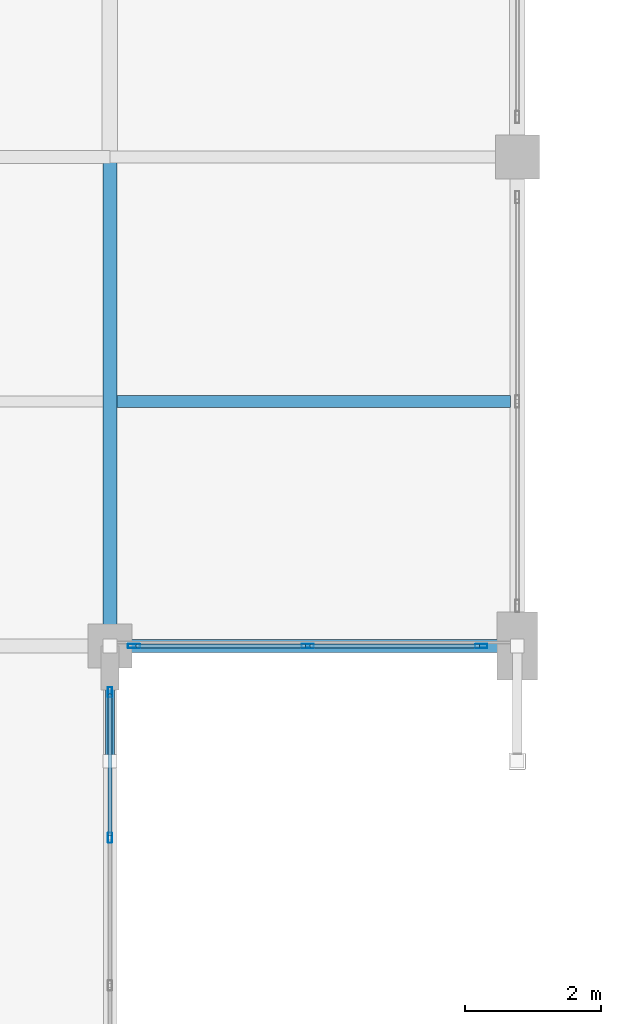
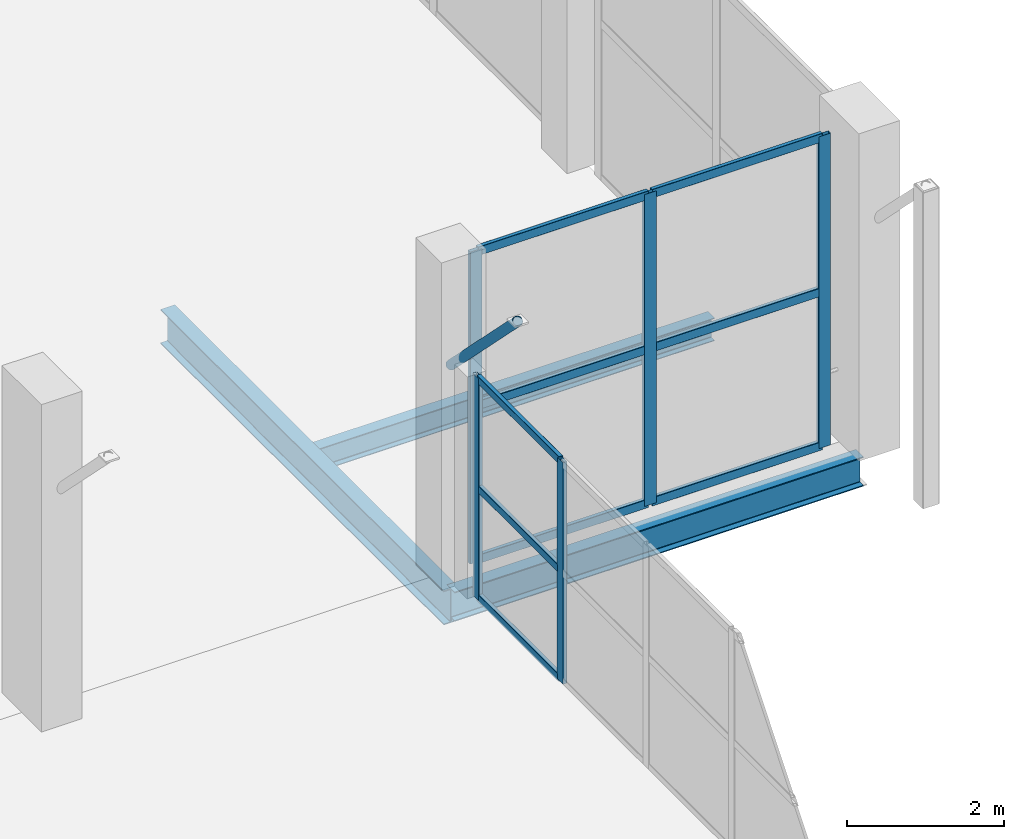
# One storey, part 32 of 127: 15 members, 3 beams, 2 elements without a shape of their own.
"""IFC4 building model written with IfcOpenShell, lengths in metres."""

import ifcopenshell
import ifcopenshell.guid

model = None  # the IFC model being written
_history = None  # IfcOwnerHistory: only IFC2X3 demands one
_inside = {}  # id of a spatial element -> (the spatial element, [elements in it])
_under = {}  # id of a project, library or spatial element -> (it, [spatial elements below it])
_declared = {}  # id of a project -> (the project, [libraries it declares])
_typed = {}  # id of a type object -> (the type object, [elements of that type])
_made_of = {}  # id of a material, layer set ... -> (it, [elements and type objects made of it])


def new_model(schema):
    """Start an empty IFC model of exactly this schema.

    Asked for "IFC4X3", IfcOpenShell would pick the latest addendum, in which some entities
    have other attributes; the version numbers below select the first issue.
    IFC2X3 requires an IfcOwnerHistory on every rooted entity: one is made here for all.
    """
    global model, _history
    if schema == "IFC4X3":
        model = ifcopenshell.file(schema_version=(4, 3, 0, 0))
    else:
        model = ifcopenshell.file(schema=schema)
    _inside.clear()
    _under.clear()
    _declared.clear()
    _typed.clear()
    _made_of.clear()
    _history = None
    if model.schema == "IFC2X3":
        org = make("IfcOrganization", Name="unknown")
        user = make(
            "IfcPersonAndOrganization",
            ThePerson=make("IfcPerson", FamilyName="unknown"),
            TheOrganization=org,
        )
        app = make(
            "IfcApplication",
            ApplicationDeveloper=org,
            Version="unknown",
            ApplicationFullName="unknown",
            ApplicationIdentifier="unknown",
        )
        _history = make(
            "IfcOwnerHistory",
            OwningUser=user,
            OwningApplication=app,
            ChangeAction="ADDED",
            CreationDate=0,
        )
    return model


def make(cls, **values):
    """One entity of the class cls with the attributes given. An attribute that is None is left unset."""
    return model.create_entity(
        cls, **{name: value for name, value in values.items() if value is not None}
    )


def rooted(cls, **values):
    """An entity with a GlobalId (a new one), such as an element, a storey or a relation."""
    return make(cls, GlobalId=ifcopenshell.guid.new(), OwnerHistory=_history, **values)


def si_unit(unit_type, name, prefix=None):
    """IfcSIUnit, for example si_unit("LENGTHUNIT", "METRE", prefix="MILLI")."""
    return make("IfcSIUnit", UnitType=unit_type, Prefix=prefix, Name=name)


def assignment(units):
    """IfcUnitAssignment: the units of a project."""
    return None if units is None else make("IfcUnitAssignment", Units=units)


def point(xyz):
    """IfcCartesianPoint."""
    return None if xyz is None else make("IfcCartesianPoint", Coordinates=xyz)


def direction(xyz):
    """IfcDirection."""
    return None if xyz is None else make("IfcDirection", DirectionRatios=xyz)


def frame(location, z_axis=None, x_axis=None):
    """IfcAxis2Placement3D, a coordinate frame: its origin and axes. An axis left out is left unset."""
    return make(
        "IfcAxis2Placement3D",
        Location=point(location),
        Axis=direction(z_axis),
        RefDirection=direction(x_axis),
    )


def frame_2d(location, x_axis=None):
    """IfcAxis2Placement2D, a coordinate frame in the plane: its origin and x axis."""
    return make(
        "IfcAxis2Placement2D", Location=point(location), RefDirection=direction(x_axis)
    )


def origin():
    """The frame at (0, 0, 0) with its axes left unset."""
    return frame((0.0, 0.0, 0.0))


def origin_2d():
    """The frame at (0, 0) in the plane with its x axis left unset."""
    return frame_2d((0.0, 0.0))


def place(relative_to, where):
    """IfcLocalPlacement: puts the frame where relative to a parent placement (None: the world)."""
    return make(
        "IfcLocalPlacement", PlacementRelTo=relative_to, RelativePlacement=where
    )


def context(
    kind, dimensions, precision=None, world=None, true_north=None, identifier=None
):
    """IfcGeometricRepresentationContext, for example the 3D "Model" context."""
    return make(
        "IfcGeometricRepresentationContext",
        ContextIdentifier=identifier,
        ContextType=kind,
        CoordinateSpaceDimension=dimensions,
        Precision=precision,
        WorldCoordinateSystem=world,
        TrueNorth=true_north,
    )


def subcontext(parent, identifier, kind, view, scale=None):
    """IfcGeometricRepresentationSubContext, for example "Body" below "Model"."""
    return make(
        "IfcGeometricRepresentationSubContext",
        ContextIdentifier=identifier,
        ContextType=kind,
        ParentContext=parent,
        TargetScale=scale,
        TargetView=view,
    )


def project(units=None, contexts=None):
    """IfcProject with its units and contexts."""
    return rooted(
        "IfcProject",
        Name="project",
        RepresentationContexts=contexts,
        UnitsInContext=assignment(units),
    )


def spatial(cls, under=None, at=None, **own):
    """A site, building, storey or space (cls), placed at a placement, below another one or the project."""
    s = rooted(cls, ObjectPlacement=at, **own)
    if under is not None:
        _under.setdefault(under.id(), (under, []))[1].append(s)
    return s


def profile(cls, at=None, kind="AREA", **sizes):
    """A parametric profile (cls). Its sizes go by their IFC names, for example OverallWidth=200.0."""
    return make(cls, ProfileType=kind, Position=at, **sizes)


def hollow_rectangle(**sizes):
    """IfcRectangleHollowProfileDef."""
    return profile("IfcRectangleHollowProfileDef", **sizes)


def hollow_circle(**sizes):
    """IfcCircleHollowProfileDef."""
    return profile("IfcCircleHollowProfileDef", **sizes)


def i_section(**sizes):
    """IfcIShapeProfileDef."""
    return profile("IfcIShapeProfileDef", **sizes)


def extrude(swept, where, along, depth):
    """IfcExtrudedAreaSolid: the profile swept, set in the frame where, extruded along a direction by depth."""
    return make(
        "IfcExtrudedAreaSolid",
        SweptArea=swept,
        Position=where,
        ExtrudedDirection=direction(along),
        Depth=depth,
    )


def shape(context_of_items, identifier, shape_type, items):
    """IfcShapeRepresentation: the items that make up one representation, for example the "Body"."""
    return make(
        "IfcShapeRepresentation",
        ContextOfItems=context_of_items,
        RepresentationIdentifier=identifier,
        RepresentationType=shape_type,
        Items=items,
    )


def material(Name=None, Category=None):
    """IfcMaterial."""
    return make("IfcMaterial", Name=Name, Category=Category)


def layer(
    of_material, thickness, ventilated=None, Name=None, Category=None, Priority=None
):
    """IfcMaterialLayer: one layer of a wall or slab, of a material (None: an air gap)."""
    return make(
        "IfcMaterialLayer",
        Material=of_material,
        LayerThickness=thickness,
        IsVentilated=ventilated,
        Name=Name,
        Category=Category,
        Priority=Priority,
    )


def layer_set(layers, Name=None):
    """IfcMaterialLayerSet."""
    return make("IfcMaterialLayerSet", MaterialLayers=layers, LayerSetName=Name)


def material_profile(
    of_material, cross_section, Name=None, Category=None, Priority=None
):
    """IfcMaterialProfile: a cross section and its material."""
    return make(
        "IfcMaterialProfile",
        Name=Name,
        Material=of_material,
        Profile=cross_section,
        Priority=Priority,
        Category=Category,
    )


def profile_set(profiles, Name=None, composite=None):
    """IfcMaterialProfileSet."""
    return make(
        "IfcMaterialProfileSet",
        Name=Name,
        MaterialProfiles=profiles,
        CompositeProfile=composite,
    )


def made_of(thing, what):
    """Note that an element or type object is made of a material, layer set ...; save() writes the relation."""
    if what is not None:
        _made_of.setdefault(what.id(), (what, []))[1].append(thing)
    return thing


def type_object(cls, material=None, **own):
    """A type object (cls), such as IfcWallType, which elements share."""
    return made_of(rooted(cls, **own), material)


def element(
    cls,
    number,
    at=None,
    inside=None,
    cuts=None,
    type_object=None,
    material=None,
    context=None,
    identifier="Body",
    shape_type=None,
    held_by="IfcProductDefinitionShape",
    body=None,
    shapes=None,
    **own,
):
    """One element of the class cls, such as IfcWall. Its Tag is "e" and its number.

    at: its placement. inside: the storey or other place that contains it. cuts: it is an
    opening in that element (IfcRelVoidsElement). A single representation is given by context,
    identifier, shape_type and body (its items); several are given by shapes. held_by: the class
    of the entity that holds the representations. save() writes the other relations.
    """
    e = rooted(cls, Tag="e%d" % number, ObjectPlacement=at, **own)
    if body is not None:
        shapes = [shape(context, identifier, shape_type, body)]
    if shapes is not None:
        e.Representation = make(held_by, Representations=shapes)
    if inside is not None:
        _inside.setdefault(inside.id(), (inside, []))[1].append(e)
    if cuts is not None:
        rooted(
            "IfcRelVoidsElement", RelatingBuildingElement=cuts, RelatedOpeningElement=e
        )
    if type_object is not None:
        _typed.setdefault(type_object.id(), (type_object, []))[1].append(e)
    return made_of(e, material)


def aggregate(whole, parts):
    """IfcRelAggregates: a whole, such as a stair, and the parts it consists of."""
    return rooted("IfcRelAggregates", RelatingObject=whole, RelatedObjects=parts)


def save(model, path):
    """Write the relations noted so far, then the file.

    IfcRelAggregates (storeys below a building ...), IfcRelContainedInSpatialStructure (elements
    in a storey), IfcRelDefinesByType, IfcRelAssociatesMaterial and IfcRelDeclares: one each for
    every whole, place, type object, material and project.
    """
    for whole, parts in _under.values():
        aggregate(whole, parts)
    for where, things in _inside.values():
        rooted(
            "IfcRelContainedInSpatialStructure",
            RelatedElements=things,
            RelatingStructure=where,
        )
    for kind, things in _typed.values():
        rooted("IfcRelDefinesByType", RelatedObjects=things, RelatingType=kind)
    for what, things in _made_of.values():
        rooted("IfcRelAssociatesMaterial", RelatedObjects=things, RelatingMaterial=what)
    for by, libraries in _declared.values():
        rooted("IfcRelDeclares", RelatingContext=by, RelatedDefinitions=libraries)
    model.write(path)


model = new_model("IFC4")

# Units and contexts
model_context = context("Model", 3, precision=1e-05, world=origin(), true_north=direction((0.0, 1.0)))
body_context = subcontext(model_context, "Body", "Model", "MODEL_VIEW")
ifc_project = project(units=[si_unit("LENGTHUNIT", "METRE"), si_unit("AREAUNIT", "SQUARE_METRE"), si_unit("VOLUMEUNIT", "CUBIC_METRE"), si_unit("PLANEANGLEUNIT", "RADIAN"), si_unit("MASSUNIT", "GRAM", prefix="KILO")], contexts=[model_context])

# Site, building, storey
site_placement = place(None, origin())
site = spatial("IfcSite", under=ifc_project, at=site_placement, CompositionType="ELEMENT")
building_placement = place(site_placement, origin())
building = spatial("IfcBuilding", under=site, at=building_placement, Name="Dunvalen Ferry Terminal", CompositionType="ELEMENT")
storey_placement = place(building_placement, frame((0.0, 0.0, 5.760009765625)))
storey = spatial("IfcBuildingStorey", under=building, at=storey_placement, Name="L01", CompositionType="ELEMENT", Elevation=5.760009765625)

# Curtain wall, members
ifc_material_1 = material(Name="Anodised marine aluminium and solar-control glazing", Category="aluminium")
ifc_layer_1 = layer(ifc_material_1, 0.219970703125, Name="Anodised marine aluminium and solar-control glazing")
ifc_layer_set_1 = layer_set([ifc_layer_1], Name="Anodised marine aluminium and solar-control glazing")
curtain_wall_type_1 = type_object("IfcCurtainWallType", Name="ENV-CW-SYS-02", PredefinedType="NOTDEFINED", material=ifc_layer_set_1)
curtain_wall_1_placement = place(storey_placement, origin())
curtain_wall_1 = element("IfcCurtainWall", 1, at=curtain_wall_1_placement, inside=storey, type_object=curtain_wall_type_1, Name="L01 Curtain Wall CW-V1S-L01-10", PredefinedType="NOTDEFINED")
ifc_material_2 = material(Name="Anodised marine aluminium EN AW-6063 T6", Category="aluminium")
ifc_material_profile_1 = material_profile(ifc_material_2, hollow_rectangle(XDim=0.06005859375, YDim=0.179931640625, WallThickness=0.00341796875, InnerFilletRadius=0.00341796875, OuterFilletRadius=0.007080078125, at=origin_2d()), Name="Anodised marine aluminium EN AW-6063 T6")
ifc_profile_set_1 = profile_set([ifc_material_profile_1], Name="Anodised marine aluminium EN AW-6063 T6")
member_type_1 = type_object("IfcMemberType", Name="ENV-CW-MUL-2", PredefinedType="MULLION", material=ifc_profile_set_1)
member_1_placement = place(storey_placement, frame((90.35498046875, 50.39990234375, 0.02001953125), z_axis=(0.0, 0.0, 1.0), x_axis=(0.0, 1.0, 0.0)))
member_1 = element("IfcMember", 2, at=member_1_placement, type_object=member_type_1, Name="CW-02 mullion 1", PredefinedType="MULLION", context=body_context, shape_type="SweptSolid", body=[
    extrude(hollow_rectangle(XDim=0.06005859375, YDim=0.179931640625, WallThickness=0.00341796875, InnerFilletRadius=0.00341796875, OuterFilletRadius=0.007080078125, at=origin_2d()), origin(), (0.0, 0.0, 1.0), 4.840087890625),
])
member_2_placement = place(storey_placement, frame((92.91259765625, 50.39990234375, 0.02001953125), z_axis=(0.0, 0.0, 1.0), x_axis=(0.0, 1.0, 0.0)))
member_2 = element("IfcMember", 3, at=member_2_placement, type_object=member_type_1, Name="CW-02 mullion 2", PredefinedType="MULLION", context=body_context, shape_type="SweptSolid", body=[
    extrude(hollow_rectangle(XDim=0.06005859375, YDim=0.179931640625, WallThickness=0.00341796875, InnerFilletRadius=0.00341796875, OuterFilletRadius=0.007080078125, at=origin_2d()), origin(), (0.0, 0.0, 1.0), 4.840087890625),
])
member_3_placement = place(storey_placement, frame((95.469970703125, 50.39990234375, 0.02001953125), z_axis=(0.0, 0.0, 1.0), x_axis=(0.0, 1.0, 0.0)))
member_3 = element("IfcMember", 4, at=member_3_placement, type_object=member_type_1, Name="CW-02 mullion 3", PredefinedType="MULLION", context=body_context, shape_type="SweptSolid", body=[
    extrude(hollow_rectangle(XDim=0.06005859375, YDim=0.179931640625, WallThickness=0.00341796875, InnerFilletRadius=0.00341796875, OuterFilletRadius=0.007080078125, at=origin_2d()), origin(), (0.0, 0.0, 1.0), 4.840087890625),
])

ifc_layer_2 = layer(ifc_material_1, 0.159912109375, Name="Anodised marine aluminium and solar-control glazing")
ifc_layer_set_2 = layer_set([ifc_layer_2], Name="Anodised marine aluminium and solar-control glazing")
curtain_wall_type_2 = type_object("IfcCurtainWallType", Name="ENV-CW-SYS-10", PredefinedType="NOTDEFINED", material=ifc_layer_set_2)
curtain_wall_2_placement = place(storey_placement, origin())
curtain_wall_2 = element("IfcCurtainWall", 5, at=curtain_wall_2_placement, inside=storey, type_object=curtain_wall_type_2, Name="L01 Curtain Wall CW-LNK51-2", PredefinedType="NOTDEFINED")
ifc_material_profile_2 = material_profile(ifc_material_2, hollow_rectangle(XDim=0.06005859375, YDim=0.14990234375, WallThickness=0.00341796875, InnerFilletRadius=0.00341796875, OuterFilletRadius=0.007080078125, at=origin_2d()), Name="Anodised marine aluminium EN AW-6063 T6")
ifc_profile_set_2 = profile_set([ifc_material_profile_2], Name="Anodised marine aluminium EN AW-6063 T6")
member_type_2 = type_object("IfcMemberType", Name="ENV-CW-MUL-3", PredefinedType="MULLION", material=ifc_profile_set_2)
member_4_placement = place(storey_placement, frame((90.0, 47.574951171875, 0.0), z_axis=(0.0, 0.0, 1.0), x_axis=(-1.0, 0.0, 0.0)))
member_4 = element("IfcMember", 6, at=member_4_placement, type_object=member_type_2, Name="CW-10 mullion 4", PredefinedType="MULLION", context=body_context, shape_type="SweptSolid", body=[
    extrude(hollow_rectangle(XDim=0.06005859375, YDim=0.14990234375, WallThickness=0.00341796875, InnerFilletRadius=0.00341796875, OuterFilletRadius=0.007080078125, at=origin_2d()), origin(), (0.0, 0.0, 1.0), 3.43994140625),
])
member_5_placement = place(storey_placement, frame((90.0, 49.719970703125, 0.0), z_axis=(0.0, 0.0, 1.0), x_axis=(-1.0, 0.0, 0.0)))
member_5 = element("IfcMember", 7, at=member_5_placement, type_object=member_type_2, Name="CW-10 mullion 5", PredefinedType="MULLION", context=body_context, shape_type="SweptSolid", body=[
    extrude(hollow_rectangle(XDim=0.06005859375, YDim=0.14990234375, WallThickness=0.00341796875, InnerFilletRadius=0.00341796875, OuterFilletRadius=0.007080078125, at=origin_2d()), origin(), (0.0, 0.0, 1.0), 3.43994140625),
])

# Member
ifc_material_profile_3 = material_profile(ifc_material_2, hollow_rectangle(XDim=0.06005859375, YDim=0.135009765625, WallThickness=0.003173828125, InnerFilletRadius=0.003173828125, OuterFilletRadius=0.00634765625, at=origin_2d()), Name="Anodised marine aluminium EN AW-6063 T6")
ifc_profile_set_3 = profile_set([ifc_material_profile_3], Name="Anodised marine aluminium EN AW-6063 T6")
member_type_3 = type_object("IfcMemberType", Name="ENV-CW-TRN-2", PredefinedType="USERDEFINED", material=ifc_profile_set_3)
member_6_placement = place(storey_placement, frame((90.385009765625, 50.39990234375, 0.050048828125), z_axis=(1.0, 0.0, 0.0), x_axis=(0.0, 1.0, 0.0)))
member_6 = element("IfcMember", 8, at=member_6_placement, type_object=member_type_3, Name="CW-02 transom 1.1", ObjectType="TRANSOM", PredefinedType="USERDEFINED", context=body_context, shape_type="SweptSolid", body=[
    extrude(hollow_rectangle(XDim=0.06005859375, YDim=0.135009765625, WallThickness=0.003173828125, InnerFilletRadius=0.003173828125, OuterFilletRadius=0.00634765625, at=origin_2d()), origin(), (0.0, 0.0, 1.0), 2.49755859375),
])

member_7_placement = place(storey_placement, frame((90.385009765625, 50.39990234375, 2.43994140625), z_axis=(1.0, 0.0, 0.0), x_axis=(0.0, 1.0, 0.0)))
member_7 = element("IfcMember", 9, at=member_7_placement, type_object=member_type_3, Name="CW-02 transom 1.2", ObjectType="TRANSOM", PredefinedType="USERDEFINED", context=body_context, shape_type="SweptSolid", body=[
    extrude(hollow_rectangle(XDim=0.06005859375, YDim=0.135009765625, WallThickness=0.003173828125, InnerFilletRadius=0.003173828125, OuterFilletRadius=0.00634765625, at=origin_2d()), origin(), (0.0, 0.0, 1.0), 2.49755859375),
])

member_8_placement = place(storey_placement, frame((90.385009765625, 50.39990234375, 4.830078125), z_axis=(1.0, 0.0, 0.0), x_axis=(0.0, 1.0, 0.0)))
member_8 = element("IfcMember", 10, at=member_8_placement, type_object=member_type_3, Name="CW-02 transom 1.3", ObjectType="TRANSOM", PredefinedType="USERDEFINED", context=body_context, shape_type="SweptSolid", body=[
    extrude(hollow_rectangle(XDim=0.06005859375, YDim=0.135009765625, WallThickness=0.003173828125, InnerFilletRadius=0.003173828125, OuterFilletRadius=0.00634765625, at=origin_2d()), origin(), (0.0, 0.0, 1.0), 2.49755859375),
])

member_9_placement = place(storey_placement, frame((92.9423828125, 50.39990234375, 0.050048828125), z_axis=(1.0, 0.0, 0.0), x_axis=(0.0, 1.0, 0.0)))
member_9 = element("IfcMember", 11, at=member_9_placement, type_object=member_type_3, Name="CW-02 transom 2.1", ObjectType="TRANSOM", PredefinedType="USERDEFINED", context=body_context, shape_type="SweptSolid", body=[
    extrude(hollow_rectangle(XDim=0.06005859375, YDim=0.135009765625, WallThickness=0.003173828125, InnerFilletRadius=0.003173828125, OuterFilletRadius=0.00634765625, at=origin_2d()), origin(), (0.0, 0.0, 1.0), 2.49755859375),
])

member_10_placement = place(storey_placement, frame((92.9423828125, 50.39990234375, 2.43994140625), z_axis=(1.0, 0.0, 0.0), x_axis=(0.0, 1.0, 0.0)))
member_10 = element("IfcMember", 12, at=member_10_placement, type_object=member_type_3, Name="CW-02 transom 2.2", ObjectType="TRANSOM", PredefinedType="USERDEFINED", context=body_context, shape_type="SweptSolid", body=[
    extrude(hollow_rectangle(XDim=0.06005859375, YDim=0.135009765625, WallThickness=0.003173828125, InnerFilletRadius=0.003173828125, OuterFilletRadius=0.00634765625, at=origin_2d()), origin(), (0.0, 0.0, 1.0), 2.49755859375),
])

member_11_placement = place(storey_placement, frame((92.9423828125, 50.39990234375, 4.830078125), z_axis=(1.0, 0.0, 0.0), x_axis=(0.0, 1.0, 0.0)))
member_11 = element("IfcMember", 13, at=member_11_placement, type_object=member_type_3, Name="CW-02 transom 2.3", ObjectType="TRANSOM", PredefinedType="USERDEFINED", context=body_context, shape_type="SweptSolid", body=[
    extrude(hollow_rectangle(XDim=0.06005859375, YDim=0.135009765625, WallThickness=0.003173828125, InnerFilletRadius=0.003173828125, OuterFilletRadius=0.00634765625, at=origin_2d()), origin(), (0.0, 0.0, 1.0), 2.49755859375),
])

aggregate(curtain_wall_1, [member_1, member_2, member_3, member_6, member_7, member_8, member_9, member_10, member_11])

ifc_material_profile_4 = material_profile(ifc_material_2, hollow_rectangle(XDim=0.06005859375, YDim=0.114990234375, WallThickness=0.0029296875, InnerFilletRadius=0.0029296875, OuterFilletRadius=0.006103515625, at=origin_2d()), Name="Anodised marine aluminium EN AW-6063 T6")
ifc_profile_set_4 = profile_set([ifc_material_profile_4], Name="Anodised marine aluminium EN AW-6063 T6")
member_type_4 = type_object("IfcMemberType", Name="ENV-CW-TRN-3", PredefinedType="USERDEFINED", material=ifc_profile_set_4)
member_12_placement = place(storey_placement, frame((90.0, 47.60498046875, 0.030029296875), z_axis=(0.0, 1.0, 0.0), x_axis=(-1.0, 0.0, 0.0)))
member_12 = element("IfcMember", 14, at=member_12_placement, type_object=member_type_4, Name="CW-10 transom 4.1", ObjectType="TRANSOM", PredefinedType="USERDEFINED", context=body_context, shape_type="SweptSolid", body=[
    extrude(hollow_rectangle(XDim=0.06005859375, YDim=0.114990234375, WallThickness=0.0029296875, InnerFilletRadius=0.0029296875, OuterFilletRadius=0.006103515625, at=origin_2d()), origin(), (0.0, 0.0, 1.0), 2.0849609375),
])

member_13_placement = place(storey_placement, frame((90.0, 47.60498046875, 1.719970703125), z_axis=(0.0, 1.0, 0.0), x_axis=(-1.0, 0.0, 0.0)))
member_13 = element("IfcMember", 15, at=member_13_placement, type_object=member_type_4, Name="CW-10 transom 4.2", ObjectType="TRANSOM", PredefinedType="USERDEFINED", context=body_context, shape_type="SweptSolid", body=[
    extrude(hollow_rectangle(XDim=0.06005859375, YDim=0.114990234375, WallThickness=0.0029296875, InnerFilletRadius=0.0029296875, OuterFilletRadius=0.006103515625, at=origin_2d()), origin(), (0.0, 0.0, 1.0), 2.0849609375),
])

member_14_placement = place(storey_placement, frame((90.0, 47.60498046875, 3.409912109375), z_axis=(0.0, 1.0, 0.0), x_axis=(-1.0, 0.0, 0.0)))
member_14 = element("IfcMember", 16, at=member_14_placement, type_object=member_type_4, Name="CW-10 transom 4.3", ObjectType="TRANSOM", PredefinedType="USERDEFINED", context=body_context, shape_type="SweptSolid", body=[
    extrude(hollow_rectangle(XDim=0.06005859375, YDim=0.114990234375, WallThickness=0.0029296875, InnerFilletRadius=0.0029296875, OuterFilletRadius=0.006103515625, at=origin_2d()), origin(), (0.0, 0.0, 1.0), 2.0849609375),
])

aggregate(curtain_wall_2, [member_4, member_5, member_12, member_13, member_14])

# Beams
ifc_material_3 = material(Name="Steel S355", Category="steel")
ifc_material_profile_5 = material_profile(ifc_material_3, i_section(OverallWidth=0.17138671875, OverallDepth=0.35498046875, WebThickness=0.00732421875, FlangeThickness=0.011474609375, FilletRadius=0.01025390625, at=origin_2d()), Name="Steel S355")
ifc_profile_set_5 = profile_set([ifc_material_profile_5], Name="Steel S355")
beam_type_1 = type_object("IfcBeamType", Name="STR-BM-UKB356", PredefinedType="JOIST", material=ifc_profile_set_5)
beam_1_placement = place(storey_placement, frame((90.10009765625, 54.0, -0.45751953125), z_axis=(1.0, 0.0, 0.0), x_axis=(0.0, 1.0, 0.0)))
element("IfcBeam", 17, at=beam_1_placement, inside=storey, type_object=beam_type_1, Name="L01 V1M Secondary Joist 034", PredefinedType="JOIST", context=body_context, shape_type="SweptSolid", body=[
    extrude(i_section(OverallWidth=0.17138671875, OverallDepth=0.35498046875, WebThickness=0.00732421875, FlangeThickness=0.011474609375, FilletRadius=0.01025390625, at=origin_2d()), origin(), (0.0, 0.0, 1.0), 5.7998046875),
])
ifc_material_profile_6 = material_profile(ifc_material_3, i_section(OverallWidth=0.1904296875, OverallDepth=0.45703125, WebThickness=0.009033203125, FlangeThickness=0.014404296875, FilletRadius=0.01025390625, at=origin_2d()), Name="Steel S355")
ifc_profile_set_6 = profile_set([ifc_material_profile_6], Name="Steel S355")
beam_type_2 = type_object("IfcBeamType", Name="STR-BM-UKB457", PredefinedType="BEAM", material=ifc_profile_set_6)
beam_2_placement = place(storey_placement, frame((90.0, 50.39990234375, -0.508544921875), z_axis=(1.0, 0.0, 0.0), x_axis=(0.0, 1.0, 0.0)))
element("IfcBeam", 18, at=beam_2_placement, inside=storey, type_object=beam_type_2, Name="L01 V1M Primary Beam X-007", PredefinedType="BEAM", context=body_context, shape_type="SweptSolid", body=[
    extrude(i_section(OverallWidth=0.1904296875, OverallDepth=0.45703125, WebThickness=0.009033203125, FlangeThickness=0.014404296875, FilletRadius=0.01025390625, at=origin_2d()), origin(), (0.0, 0.0, 1.0), 6.0),
])
ifc_material_profile_7 = material_profile(ifc_material_3, i_section(OverallWidth=0.209228515625, OverallDepth=0.533203125, WebThickness=0.010009765625, FlangeThickness=0.015625, FilletRadius=0.0126953125, at=origin_2d()), Name="Steel S355")
ifc_profile_set_7 = profile_set([ifc_material_profile_7], Name="Steel S355")
beam_type_3 = type_object("IfcBeamType", Name="STR-BM-UKB533", PredefinedType="BEAM", material=ifc_profile_set_7)
beam_3_placement = place(storey_placement, frame((90.0, 50.39990234375, -0.546630859375), z_axis=(0.0, 1.0, 0.0), x_axis=(-1.0, 0.0, 0.0)))
element("IfcBeam", 19, at=beam_3_placement, inside=storey, type_object=beam_type_3, Name="L01 V1M Primary Girder Y-133", PredefinedType="BEAM", context=body_context, shape_type="SweptSolid", body=[
    extrude(i_section(OverallWidth=0.209228515625, OverallDepth=0.533203125, WebThickness=0.010009765625, FlangeThickness=0.015625, FilletRadius=0.0126953125, at=origin_2d()), origin(), (0.0, 0.0, 1.0), 7.2001953125),
])

# Member
ifc_material_profile_8 = material_profile(ifc_material_3, hollow_circle(Radius=0.06982421875, WallThickness=0.00634765625, at=origin_2d()), Name="Steel S355")
ifc_profile_set_8 = profile_set([ifc_material_profile_8], Name="Steel S355")
member_type_5 = type_object("IfcMemberType", Name="STR-MB-CHS139", PredefinedType="BRACE", material=ifc_profile_set_8)
member_15_placement = place(storey_placement, frame((90.0, 50.39990234375, 3.18994140625), z_axis=(0.0, -0.705028038092, 0.709179431106), x_axis=(1.0, 0.0, 0.0)))
element("IfcMember", 20, at=member_15_placement, inside=storey, type_object=member_type_5, Name="Departure Hall South Eave Knee Strut 14", PredefinedType="BRACE", context=body_context, shape_type="SweptSolid", body=[
    extrude(hollow_circle(Radius=0.06982421875, WallThickness=0.00634765625, at=origin_2d()), origin(), (0.0, 0.0, 1.0), 2.4111328125),
])

save(model, "model.ifc")
